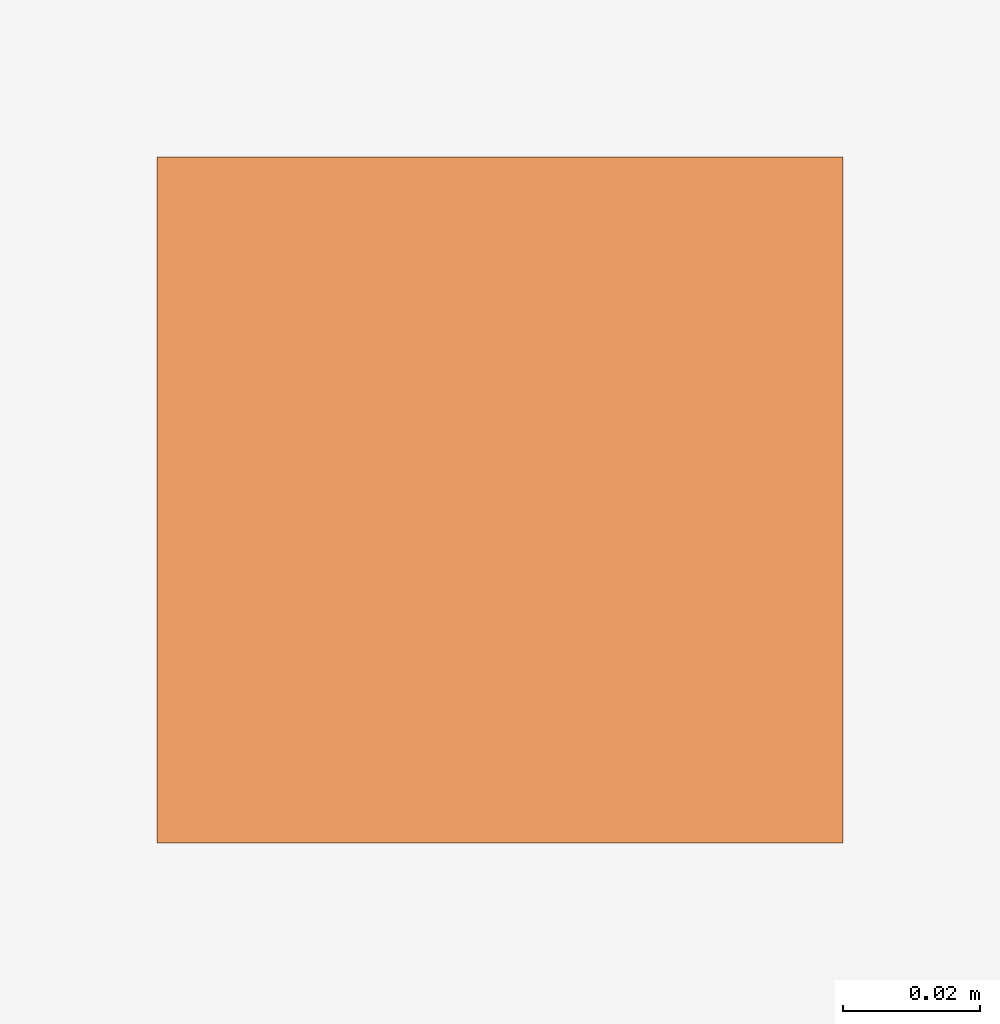
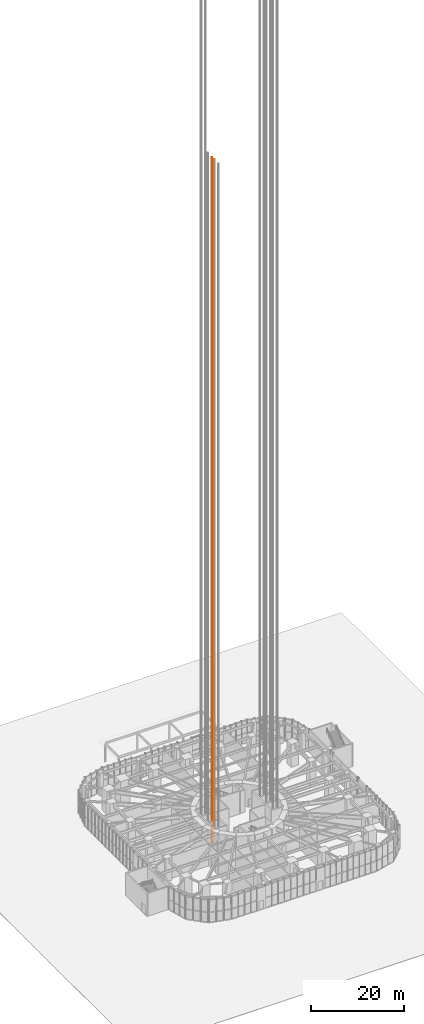
# One storey, part 34 of 43: 1 proxy.
"""IFC4 building model written with IfcOpenShell, lengths in metres."""

from ifc_helpers import new_model, si_unit, direction, frame, origin, origin_2d, place, context, subcontext, project, spatial, rectangle, extrude, material, type_object, element, save


model = new_model("IFC4")

# Units and contexts
model_context = context("Model", 3, precision=1e-05, world=origin(), true_north=direction((0.0, 1.0)))
body_context = subcontext(model_context, "Body", "Model", "MODEL_VIEW")
ifc_project = project(units=[si_unit("LENGTHUNIT", "METRE"), si_unit("AREAUNIT", "SQUARE_METRE"), si_unit("VOLUMEUNIT", "CUBIC_METRE"), si_unit("PLANEANGLEUNIT", "RADIAN"), si_unit("MASSUNIT", "GRAM", prefix="KILO")], contexts=[model_context])

# Site, building, storey
site_placement = place(None, origin())
site = spatial("IfcSite", under=ifc_project, at=site_placement, CompositionType="ELEMENT")
building_placement = place(site_placement, origin())
building = spatial("IfcBuilding", under=site, at=building_placement, Name="Nakasero Lantern House", CompositionType="ELEMENT")
storey_placement = place(building_placement, origin())
storey = spatial("IfcBuildingStorey", under=building, at=storey_placement, Name="L00", CompositionType="ELEMENT", Elevation=0.0)

# Proxy
ifc_material = material(Name="Steel S355", Category="steel")
building_element_proxy_type = type_object("IfcBuildingElementProxyType", Name="Lift guide rail", PredefinedType="ELEMENT", material=ifc_material)
proxy_placement = place(storey_placement, frame((-7.300048828125, -0.89990234375, 0.0), z_axis=(0.0, 0.0, 1.0), x_axis=(1.0, 0.0, 0.0)))
element("IfcBuildingElementProxy", 1, at=proxy_placement, inside=storey, type_object=building_element_proxy_type, Name="Guide rail PLW2 1", PredefinedType="ELEMENT", context=body_context, shape_type="SweptSolid", body=[
    extrude(rectangle(XDim=0.10009765625, YDim=0.10009765625, at=origin_2d()), origin(), (0.0, 0.0, 1.0), 180.050048828125),
])

save(model, "model.ifc")
